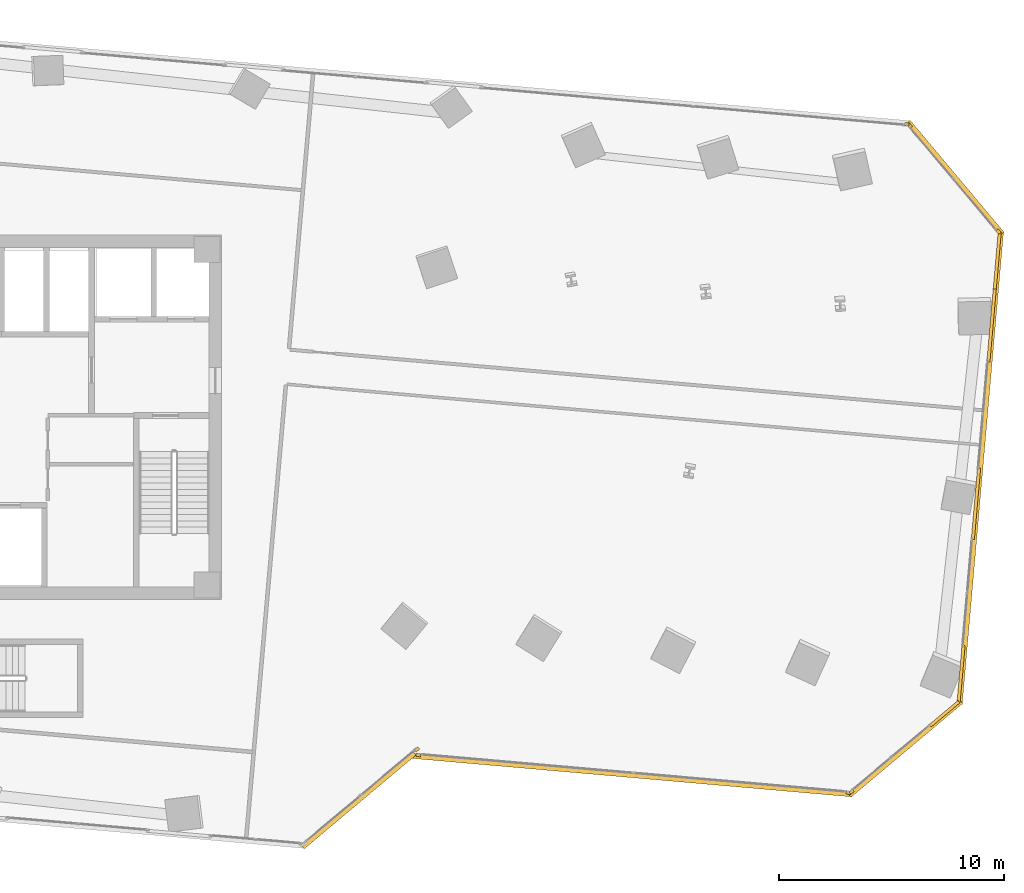
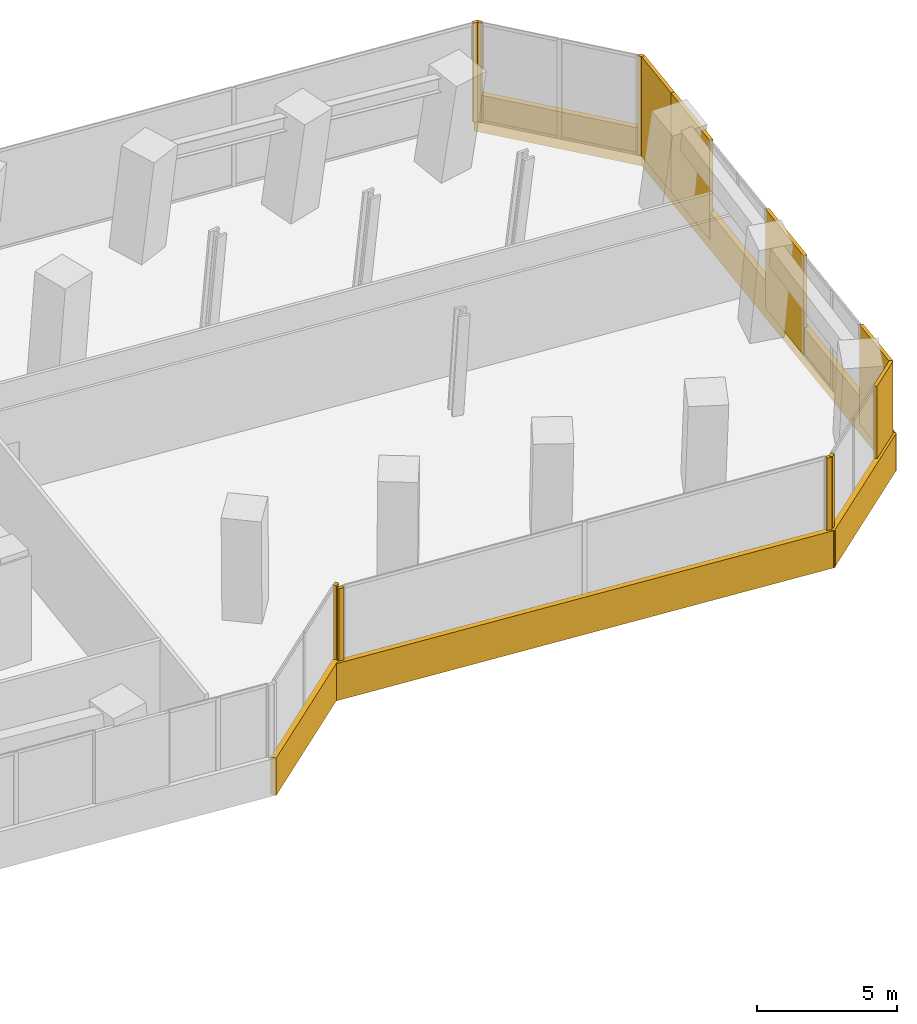
# One storey, part 23 of 24: 17 coverings.
"""IFC4 building model written with IfcOpenShell, lengths in metres."""

from ifc_helpers import new_model, si_unit, direction, frame, origin, origin_2d, place, context, subcontext, project, spatial, rectangle, extrude, source, transform, mapped, material, layer, layer_set, type_object, element, save


model = new_model("IFC4")

# Units and contexts
model_context = context("Model", 3, precision=1e-05, world=origin(), true_north=direction((0.0, 1.0)))
body_context = subcontext(model_context, "Body", "Model", "MODEL_VIEW")
ifc_project = project(units=[si_unit("LENGTHUNIT", "METRE"), si_unit("AREAUNIT", "SQUARE_METRE"), si_unit("VOLUMEUNIT", "CUBIC_METRE"), si_unit("PLANEANGLEUNIT", "RADIAN"), si_unit("MASSUNIT", "GRAM", prefix="KILO")], contexts=[model_context])

# Site, building, storey
site_placement = place(None, origin())
site = spatial("IfcSite", under=ifc_project, at=site_placement, CompositionType="ELEMENT")
building_placement = place(site_placement, origin())
building = spatial("IfcBuilding", under=site, at=building_placement, Name="Torre Montelarca", CompositionType="ELEMENT")
storey_placement = place(building_placement, frame((0.0, 0.0, 52.0)))
storey = spatial("IfcBuildingStorey", under=building, at=storey_placement, Name="L11", CompositionType="ELEMENT", Elevation=52.0)

# Coverings
ifc_material = material(Name="Bush-hammered warm white precast concrete C45/55", Category="concrete")
ifc_layer = layer(ifc_material, 0.139892578125, Name="Bush-hammered warm white precast concrete C45/55", Category="concrete")
ifc_layer_set = layer_set([ifc_layer], Name="Bush-hammered warm white precast concrete C45/55")
covering_type = type_object("IfcCoveringType", Name="COV-TRAY-CLAD", PredefinedType="CLADDING", material=ifc_layer_set)
shared_shape_1 = source(origin(), body_context, "Body", "SweptSolid", [
    extrude(rectangle(XDim=0.199951171875, YDim=0.139892578125, at=origin_2d()), origin(), (0.0, 0.0, 1.0), 4.320068359375),
])
for number, where, z_axis, x_axis, name in (
    (1, (35.78271484375, 17.240966796875, 0.0), (0.0, 0.0, 1.0), (0.766048930604, 0.642782261672, 0.0), "L11 Architectural Column Pier Cladding E02-2"),
    (2, (35.837890625, 16.9833984375, 0.0), (0.0, 0.0, 1.0), (0.996194241732, -0.08716095881, 0.0), "L11 Architectural Column Pier Cladding E04-1"),
    (3, (54.956787109375, 15.310546875, 0.0), (0.0, 0.0, 1.0), (0.996194241732, -0.08716095881, 0.0), "L11 Architectural Column Pier Cladding E04-2"),
    (4, (55.09521484375, 15.354248046875, 0.0), (0.0, 0.0, 1.0), (0.76603883371, 0.642794294661, 0.0), "L11 Architectural Column Pier Cladding E05-1"),
    (5, (61.62646484375, 40.25244140625, 0.0), (0.0, 0.0, 1.0), (-0.642794294661, 0.76603883371, 0.0), "L11 Architectural Column Pier Cladding E07-1"),
    (6, (57.6845703125, 44.949951171875, 0.0), (0.0, 0.0, 1.0), (-0.642794294661, 0.76603883371, 0.0), "L11 Architectural Column Pier Cladding E07-2"),
    (7, (57.555908203125, 45.01708984375, 0.0), (0.0, 0.0, 1.0), (-0.996194545975, 0.087157481435, 0.0), "L11 Architectural Column Pier Cladding E08-1"),
):
    element("IfcCovering", number, at=place(storey_placement, frame(where, z_axis=z_axis, x_axis=x_axis)), inside=storey, type_object=covering_type, Name=name, PredefinedType="CLADDING", context=body_context, shape_type="MappedRepresentation", body=[
        mapped(shared_shape_1, transform((0.0, 0.0, 0.0), scale=1.0)),
    ])
shared_shape_2 = source(origin(), body_context, "Body", "SweptSolid", [
    extrude(rectangle(XDim=6.48388671875, YDim=0.219970703125, at=origin_2d()), origin(), (0.0, 0.0, 1.0), 1.6201171875),
])
for number, where, z_axis, x_axis, name in (
    (8, (33.190673828125, 14.987548828125, -0.449951171875), (0.0, 0.0, 1.0), (0.766052296194, 0.64277825064, 0.0), "L11 Architectural White Spandrel Tray Band TRYBOT-02"),
    (9, (57.482666015625, 17.279052734375, -0.449951171875), (0.0, 0.0, 1.0), (0.766044443119, 0.642787609687, 0.0), "L11 Architectural White Spandrel Tray Band TRYBOT-05"),
    (10, (59.701416015625, 42.639892578125, -0.449951171875), (0.0, 0.0, 1.0), (-0.642787609687, 0.766044443119, 0.0), "L11 Architectural White Spandrel Tray Band TRYBOT-07"),
):
    element("IfcCovering", number, at=place(storey_placement, frame(where, z_axis=z_axis, x_axis=x_axis)), inside=storey, type_object=covering_type, Name=name, PredefinedType="CLADDING", context=body_context, shape_type="MappedRepresentation", body=[
        mapped(shared_shape_2, transform((0.0, 0.0, 0.0), scale=1.0)),
    ])
shared_shape_3 = source(origin(), body_context, "Body", "SweptSolid", [
    extrude(rectangle(XDim=2.5390625, YDim=0.139892578125, at=origin_2d()), origin(), (0.0, 0.0, 1.0), 4.320068359375),
])
covering_1_placement = place(storey_placement, frame((59.9619140625, 20.58984375, 0.0), z_axis=(0.0, 0.0, 1.0), x_axis=(0.08716095881, 0.996194241732, 0.0)))
element("IfcCovering", 11, at=covering_1_placement, inside=storey, type_object=covering_type, Name="L11 Architectural Column Pier Cladding E06-1", PredefinedType="CLADDING", context=body_context, shape_type="MappedRepresentation", body=[
    mapped(shared_shape_3, transform((0.0, 0.0, 0.0), scale=1.0)),
])
shared_shape_4 = source(origin(), body_context, "Body", "SweptSolid", [
    extrude(rectangle(XDim=2.529052734375, YDim=0.139892578125, at=origin_2d()), origin(), (0.0, 0.0, 1.0), 4.320068359375),
])
covering_2_placement = place(storey_placement, frame((61.568603515625, 38.953857421875, 0.0), z_axis=(0.0, 0.0, 1.0), x_axis=(0.08716095881, 0.996194241732, 0.0)))
element("IfcCovering", 12, at=covering_2_placement, inside=storey, type_object=covering_type, Name="L11 Architectural Column Pier Cladding E06-4", PredefinedType="CLADDING", context=body_context, shape_type="MappedRepresentation", body=[
    mapped(shared_shape_4, transform((0.0, 0.0, 0.0), scale=1.0)),
])
shared_shape_5 = source(origin(), body_context, "Body", "SweptSolid", [
    extrude(rectangle(XDim=19.6201171875, YDim=0.219970703125, at=origin_2d()), origin(), (0.0, 0.0, 1.0), 1.6201171875),
])
covering_3_placement = place(storey_placement, frame((45.35400390625, 16.09033203125, -0.449951171875), z_axis=(0.0, 0.0, 1.0), x_axis=(0.996194850206, -0.08715400406, 0.0)))
element("IfcCovering", 13, at=covering_3_placement, inside=storey, type_object=covering_type, Name="L11 Architectural White Spandrel Tray Band TRYBOT-04", PredefinedType="CLADDING", context=body_context, shape_type="MappedRepresentation", body=[
    mapped(shared_shape_5, transform((0.0, 0.0, 0.0), scale=1.0)),
])
shared_shape_6 = source(origin(), body_context, "Body", "SweptSolid", [
    extrude(rectangle(XDim=21.119873046875, YDim=0.219970703125, at=origin_2d()), origin(), (0.0, 0.0, 1.0), 1.6201171875),
])
covering_4_placement = place(storey_placement, frame((60.82470703125, 29.76416015625, -0.449951171875), z_axis=(0.0, 0.0, 1.0), x_axis=(0.087157481435, 0.996194545975, 0.0)))
element("IfcCovering", 14, at=covering_4_placement, inside=storey, type_object=covering_type, Name="L11 Architectural White Spandrel Tray Band TRYBOT-06", PredefinedType="CLADDING", context=body_context, shape_type="MappedRepresentation", body=[
    mapped(shared_shape_6, transform((0.0, 0.0, 0.0), scale=1.0)),
])
shared_shape_7 = source(origin(), body_context, "Body", "SweptSolid", [
    extrude(rectangle(XDim=1.6787109375, YDim=0.139892578125, at=origin_2d()), origin(), (0.0, 0.0, 1.0), 4.320068359375),
])
covering_5_placement = place(storey_placement, frame((59.2265625, 18.82080078125, 0.0), z_axis=(0.0, 0.0, 1.0), x_axis=(0.76603883371, 0.642794294661, 0.0)))
element("IfcCovering", 15, at=covering_5_placement, inside=storey, type_object=covering_type, Name="L11 Architectural Column Pier Cladding E05-2", PredefinedType="CLADDING", context=body_context, shape_type="MappedRepresentation", body=[
    mapped(shared_shape_7, transform((0.0, 0.0, 0.0), scale=1.0)),
])
shared_shape_8 = source(origin(), body_context, "Body", "SweptSolid", [
    extrude(rectangle(XDim=3.199951171875, YDim=0.139892578125, at=origin_2d()), origin(), (0.0, 0.0, 1.0), 4.320068359375),
])
covering_6_placement = place(storey_placement, frame((60.623779296875, 28.155517578125, 0.0), z_axis=(0.0, 0.0, 1.0), x_axis=(0.08716095881, 0.996194241732, 0.0)))
element("IfcCovering", 16, at=covering_6_placement, inside=storey, type_object=covering_type, Name="L11 Architectural Column Pier Cladding E06-2", PredefinedType="CLADDING", context=body_context, shape_type="MappedRepresentation", body=[
    mapped(shared_shape_8, transform((0.0, 0.0, 0.0), scale=1.0)),
])
shared_shape_9 = source(origin(), body_context, "Body", "SweptSolid", [
    extrude(rectangle(XDim=3.351806640625, YDim=0.139892578125, at=origin_2d()), origin(), (0.0, 0.0, 1.0), 4.320068359375),
])
covering_7_placement = place(storey_placement, frame((61.321044921875, 36.124267578125, 0.0), z_axis=(0.0, 0.0, 1.0), x_axis=(0.08716095881, 0.996194241732, 0.0)))
element("IfcCovering", 17, at=covering_7_placement, inside=storey, type_object=covering_type, Name="L11 Architectural Column Pier Cladding E06-3", PredefinedType="CLADDING", context=body_context, shape_type="MappedRepresentation", body=[
    mapped(shared_shape_9, transform((0.0, 0.0, 0.0), scale=1.0)),
])

save(model, "model.ifc")
